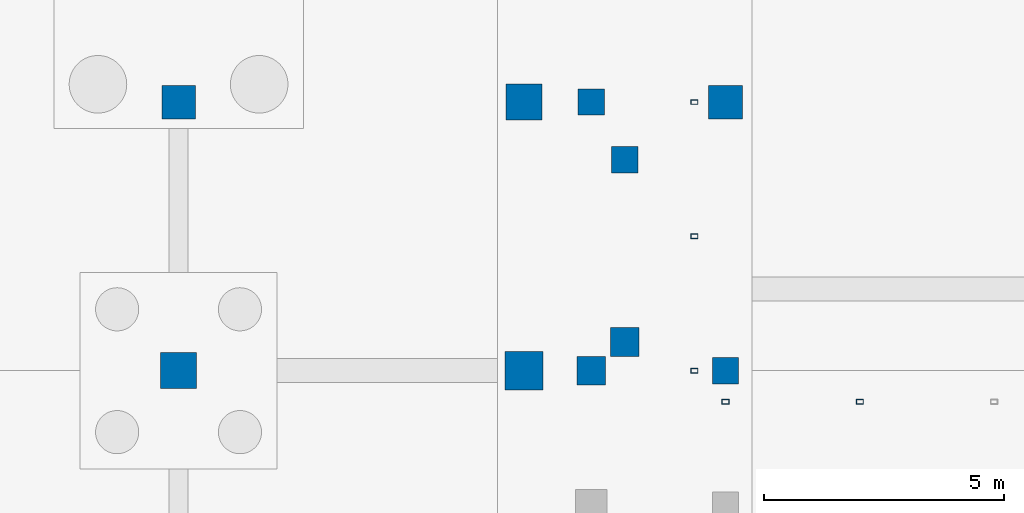
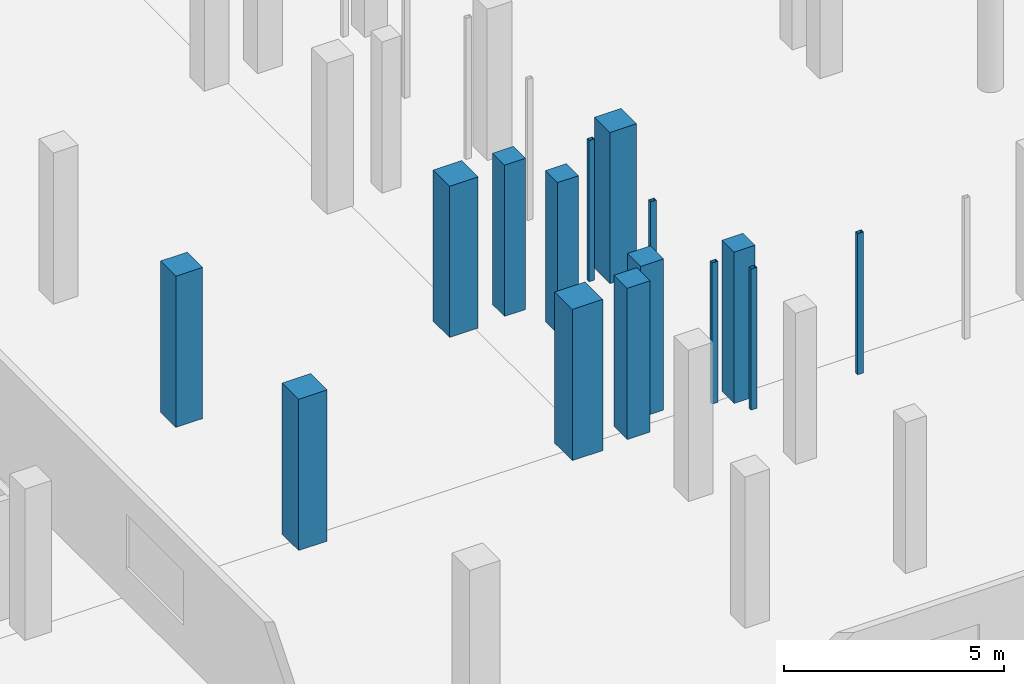
# One storey, part 8 of 34: 15 columns.
"""IFC4 building model written with IfcOpenShell, lengths in metres."""

from ifc_helpers import new_model, si_unit, direction, frame, origin, origin_2d, place, context, subcontext, project, spatial, rectangle, hollow_rectangle, extrude, material, material_profile, profile_set, type_object, element, save


model = new_model("IFC4")

# Units and contexts
model_context = context("Model", 3, precision=1e-05, world=origin(), true_north=direction((0.0, 1.0)))
body_context = subcontext(model_context, "Body", "Model", "MODEL_VIEW")
ifc_project = project(units=[si_unit("LENGTHUNIT", "METRE"), si_unit("AREAUNIT", "SQUARE_METRE"), si_unit("VOLUMEUNIT", "CUBIC_METRE"), si_unit("PLANEANGLEUNIT", "RADIAN"), si_unit("MASSUNIT", "GRAM", prefix="KILO")], contexts=[model_context])

# Site, building, storey
site_placement = place(None, origin())
site = spatial("IfcSite", under=ifc_project, at=site_placement, CompositionType="ELEMENT")
building_placement = place(site_placement, origin())
building = spatial("IfcBuilding", under=site, at=building_placement, Name="Vinh Khe Railworks Police Headquarters", CompositionType="ELEMENT")
storey_placement = place(building_placement, frame((0.0, 0.0, -4.199951171875)))
storey = spatial("IfcBuildingStorey", under=building, at=storey_placement, Name="B1", CompositionType="ELEMENT", Elevation=-4.199951171875)

# Columns
ifc_material_1 = material(Name="Steel S355JR", Category="steel")
ifc_material_profile_1 = material_profile(ifc_material_1, hollow_rectangle(XDim=0.14990234375, YDim=0.10009765625, WallThickness=0.008056640625, at=origin_2d()), Name="RHS 150x100x8")
ifc_profile_set_1 = profile_set([ifc_material_profile_1], Name="Steel S355JR")
column_type_1 = type_object("IfcColumnType", Name="COL-QUILT-POST", PredefinedType="COLUMN", material=ifc_profile_set_1)
for number, where, z_axis, x_axis, name in (
    (1, (26.39990234375, 24.550048828125, 0.0), (0.0, 0.0, 1.0), (1.0, 0.0, 0.0), "Patchwork Quilt Plinth Column S-1 (B1)"),
    (2, (29.199951171875, 24.550048828125, 0.0), (0.0, 0.0, 1.0), (1.0, 0.0, 0.0), "Patchwork Quilt Plinth Column S-2 (B1)"),
    (3, (25.75, 25.199951171875, 0.0), (0.0, 0.0, 1.0), (1.0, 0.0, 0.0), "Patchwork Quilt Plinth Column W-1 (B1)"),
    (4, (25.75, 28.0, 0.0), (0.0, 0.0, 1.0), (1.0, 0.0, 0.0), "Patchwork Quilt Plinth Column W-2 (B1)"),
    (5, (25.75, 30.800048828125, 0.0), (0.0, 0.0, 1.0), (1.0, 0.0, 0.0), "Patchwork Quilt Plinth Column W-3 (B1)"),
):
    element("IfcColumn", number, at=place(storey_placement, frame(where, z_axis=z_axis, x_axis=x_axis)), inside=storey, type_object=column_type_1, Name=name, PredefinedType="COLUMN", context=body_context, shape_type="SweptSolid", body=[
        extrude(hollow_rectangle(XDim=0.14990234375, YDim=0.10009765625, WallThickness=0.008056640625, at=origin_2d()), origin(), (0.0, 0.0, 1.0), 3.919921875),
    ])
ifc_material_2 = material(Name="Concrete C40/50 (B40)", Category="concrete")
ifc_material_profile_2 = material_profile(ifc_material_2, rectangle(XDim=0.550048828125, YDim=0.550048828125, at=origin_2d()), Name="RC 550x550")
ifc_profile_set_2 = profile_set([ifc_material_profile_2], Name="Concrete C40/50 (B40)")
column_type_2 = type_object("IfcColumnType", Name="RC Column RC 550x550", PredefinedType="COLUMN", material=ifc_profile_set_2)
for number, where, z_axis, x_axis, name in (
    (6, (23.60009765625, 30.800048828125, 0.0), (0.0, 0.0, 1.0), (1.0, 0.0, 0.0), "Column COL-B1-CC-06-0665"),
    (7, (24.300048828125, 29.60009765625, 0.0), (0.0, 0.0, 1.0), (1.0, 0.0, 0.0), "Column COL-B1-CC-06-0704"),
    (8, (26.39990234375, 25.199951171875, 0.0), (0.0, 0.0, 1.0), (1.0, 0.0, 0.0), "Column COL-B1-CC-06-0722"),
):
    element("IfcColumn", number, at=place(storey_placement, frame(where, z_axis=z_axis, x_axis=x_axis)), inside=storey, type_object=column_type_2, Name=name, PredefinedType="COLUMN", context=body_context, shape_type="SweptSolid", body=[
        extrude(rectangle(XDim=0.550048828125, YDim=0.550048828125, at=origin_2d()), origin(), (0.0, 0.0, 1.0), 4.199951171875),
    ])
ifc_material_profile_3 = material_profile(ifc_material_2, rectangle(XDim=0.60009765625, YDim=0.60009765625, at=origin_2d()), Name="RC 600x600")
ifc_profile_set_3 = profile_set([ifc_material_profile_3], Name="Concrete C40/50 (B40)")
column_type_3 = type_object("IfcColumnType", Name="RC Column RC 600x600", PredefinedType="COLUMN", material=ifc_profile_set_3)
for number, where, z_axis, x_axis, name in (
    (9, (23.60009765625, 25.199951171875, 0.0), (0.0, 0.0, 1.0), (1.0, 0.0, 0.0), "Column COL-B1-CC-05-0660"),
    (10, (24.300048828125, 25.800048828125, 0.0), (0.0, 0.0, 1.0), (1.0, 0.0, 0.0), "Column COL-B1-CC-05-0700"),
):
    element("IfcColumn", number, at=place(storey_placement, frame(where, z_axis=z_axis, x_axis=x_axis)), inside=storey, type_object=column_type_3, Name=name, PredefinedType="COLUMN", context=body_context, shape_type="SweptSolid", body=[
        extrude(rectangle(XDim=0.60009765625, YDim=0.60009765625, at=origin_2d()), origin(), (0.0, 0.0, 1.0), 4.199951171875),
    ])
ifc_material_profile_4 = material_profile(ifc_material_2, rectangle(XDim=0.699951171875, YDim=0.699951171875, at=origin_2d()), Name="RC 700x700")
ifc_profile_set_4 = profile_set([ifc_material_profile_4], Name="Concrete C40/50 (B40)")
column_type_4 = type_object("IfcColumnType", Name="RC Column RC 700x700", PredefinedType="COLUMN", material=ifc_profile_set_4)
for number, where, z_axis, x_axis, name in (
    (11, (15.0, 30.800048828125, 0.0), (0.0, 0.0, 1.0), (1.0, 0.0, 0.0), "Column COL-B1-CC-03-0361"),
    (12, (26.39990234375, 30.800048828125, 0.0), (0.0, 0.0, 1.0), (1.0, 0.0, 0.0), "Column COL-B1-CC-03-0727"),
):
    element("IfcColumn", number, at=place(storey_placement, frame(where, z_axis=z_axis, x_axis=x_axis)), inside=storey, type_object=column_type_4, Name=name, PredefinedType="COLUMN", context=body_context, shape_type="SweptSolid", body=[
        extrude(rectangle(XDim=0.699951171875, YDim=0.699951171875, at=origin_2d()), origin(), (0.0, 0.0, 1.0), 4.199951171875),
    ])
ifc_material_profile_5 = material_profile(ifc_material_2, rectangle(XDim=0.75, YDim=0.75, at=origin_2d()), Name="RC 750x750")
ifc_profile_set_5 = profile_set([ifc_material_profile_5], Name="Concrete C40/50 (B40)")
column_type_5 = type_object("IfcColumnType", Name="RC Column RC 750x750", PredefinedType="COLUMN", material=ifc_profile_set_5)
for number, where, z_axis, x_axis, name in (
    (13, (15.0, 25.199951171875, 0.0), (0.0, 0.0, 1.0), (1.0, 0.0, 0.0), "Column COL-B1-CC-02-0351"),
    (14, (22.199951171875, 30.800048828125, 0.0), (0.0, 0.0, 1.0), (1.0, 0.0, 0.0), "Column COL-B1-CC-02-0526"),
):
    element("IfcColumn", number, at=place(storey_placement, frame(where, z_axis=z_axis, x_axis=x_axis)), inside=storey, type_object=column_type_5, Name=name, PredefinedType="COLUMN", context=body_context, shape_type="SweptSolid", body=[
        extrude(rectangle(XDim=0.75, YDim=0.75, at=origin_2d()), origin(), (0.0, 0.0, 1.0), 4.199951171875),
    ])
ifc_material_profile_6 = material_profile(ifc_material_2, rectangle(XDim=0.800048828125, YDim=0.800048828125, at=origin_2d()), Name="RC 800x800")
ifc_profile_set_6 = profile_set([ifc_material_profile_6], Name="Concrete C40/50 (B40)")
column_type_6 = type_object("IfcColumnType", Name="RC Column RC 800x800", PredefinedType="COLUMN", material=ifc_profile_set_6)
column_placement = place(storey_placement, frame((22.199951171875, 25.199951171875, 0.0), z_axis=(0.0, 0.0, 1.0), x_axis=(1.0, 0.0, 0.0)))
element("IfcColumn", 15, at=column_placement, inside=storey, type_object=column_type_6, Name="Column COL-B1-CC-01-0517", PredefinedType="COLUMN", context=body_context, shape_type="SweptSolid", body=[
    extrude(rectangle(XDim=0.800048828125, YDim=0.800048828125, at=origin_2d()), origin(), (0.0, 0.0, 1.0), 4.199951171875),
])

save(model, "model.ifc")
